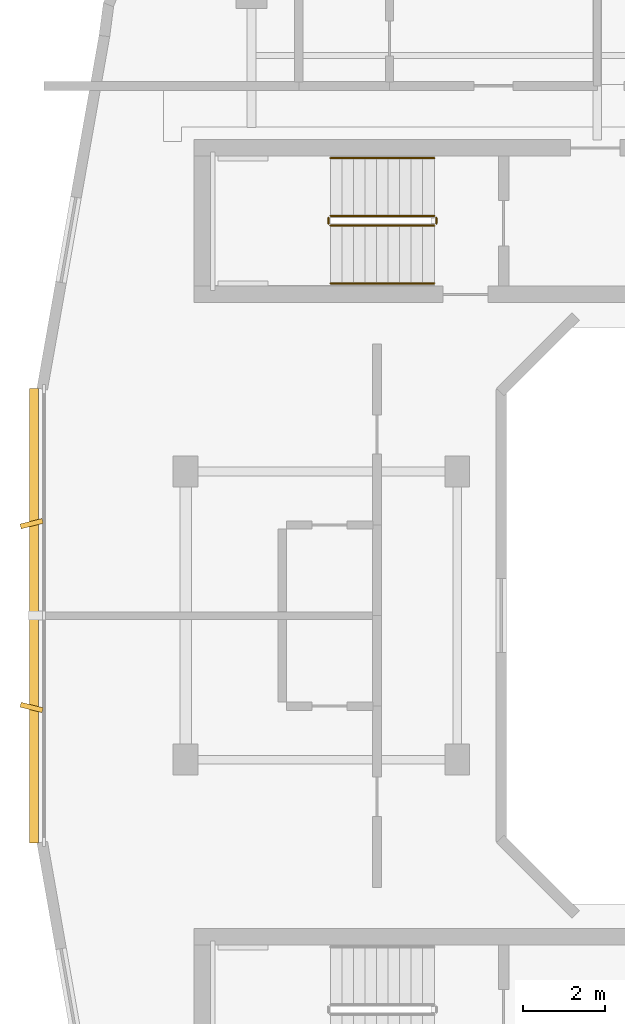
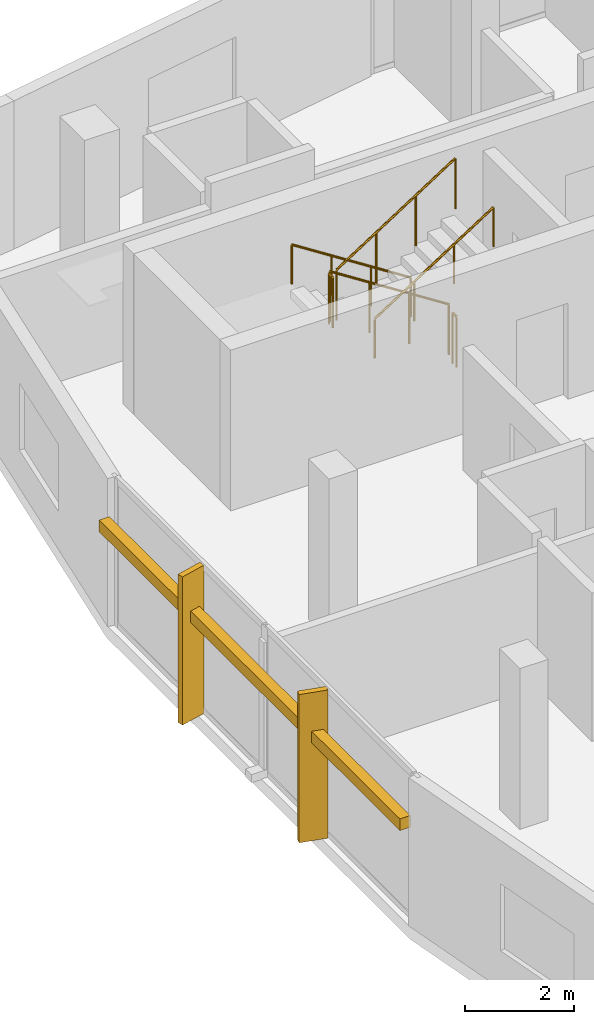
# One storey, part 9 of 10: 6 railings, 3 shading devices.
"""IFC4 building model written with IfcOpenShell, lengths in metres."""

from ifc_helpers import new_model, si_unit, derived_unit, direction, frame, origin, origin_2d, place, context, subcontext, project, spatial, rectangle, circle, extrude, material, type_object, element, save


model = new_model("IFC4")

# Units and contexts
model_context = context("Model", 3, precision=1e-05, world=origin(), true_north=direction((0.0, 1.0)))
body_context = subcontext(model_context, "Body", "Model", "MODEL_VIEW")
ifc_project = project(units=[si_unit("LENGTHUNIT", "METRE"), si_unit("AREAUNIT", "SQUARE_METRE"), si_unit("VOLUMEUNIT", "CUBIC_METRE"), si_unit("PLANEANGLEUNIT", "RADIAN"), si_unit("MASSUNIT", "GRAM", prefix="KILO"), derived_unit("THERMALTRANSMITTANCEUNIT", [(si_unit("POWERUNIT", "WATT"), 1), (si_unit("LENGTHUNIT", "METRE"), -2), (si_unit("THERMODYNAMICTEMPERATUREUNIT", "KELVIN"), -1)])], contexts=[model_context])

# Site, building, storey
site_placement = place(None, origin())
site = spatial("IfcSite", under=ifc_project, at=site_placement, CompositionType="ELEMENT")
building_placement = place(site_placement, origin())
building = spatial("IfcBuilding", under=site, at=building_placement, Name="Kivonza Crest Hotel", CompositionType="ELEMENT")
storey_placement = place(building_placement, frame((0.0, 0.0, 246.800048828125)))
storey = spatial("IfcBuildingStorey", under=building, at=storey_placement, Name="L67", CompositionType="ELEMENT", Elevation=246.800048828125)

# Railings
ifc_material_1 = material(Name="Brushed stainless steel handrail", Category="steel")
railing_type_1 = type_object("IfcRailingType", Name="RL-HAND-900", PredefinedType="HANDRAIL", material=ifc_material_1)
railing_1_placement = place(storey_placement, frame((12.239990234375, 36.110107421875, 0.179931640625)))
element("IfcRailing", 1, at=railing_1_placement, inside=storey, type_object=railing_type_1, Name="L67 ST-T1-N stair handrail 1", PredefinedType="HANDRAIL", context=body_context, shape_type="SweptSolid", body=[
    extrude(circle(Radius=0.02392578125, at=origin_2d()), frame((0.0, 0.0, 0.8759765625), z_axis=(-0.841162588446, 0.0, 0.540782303519), x_axis=(0.0, -1.0, 0.0)), (0.0, 0.0, 1.0), 2.995849609375),
    extrude(circle(Radius=0.02099609375, at=origin_2d()), origin(), (0.0, 0.0, 1.0), 0.851806640625),
    extrude(circle(Radius=0.02099609375, at=origin_2d()), frame((-0.840087890625, 0.0, 0.5400390625)), (0.0, 0.0, 1.0), 0.851806640625),
    extrude(circle(Radius=0.02099609375, at=origin_2d()), frame((-1.679931640625, 0.0, 1.080078125)), (0.0, 0.0, 1.0), 0.851806640625),
    extrude(circle(Radius=0.02099609375, at=origin_2d()), frame((-2.52001953125, 0.0, 1.6201171875)), (0.0, 0.0, 1.0), 0.851806640625),
])
railing_2_placement = place(storey_placement, frame((9.719970703125, 33.070068359375, 1.97998046875)))
element("IfcRailing", 2, at=railing_2_placement, inside=storey, type_object=railing_type_1, Name="L67 ST-T1-N stair handrail 2", PredefinedType="HANDRAIL", context=body_context, shape_type="SweptSolid", body=[
    extrude(circle(Radius=0.02392578125, at=origin_2d()), frame((0.0, 0.0, 0.8759765625), z_axis=(0.841199657755, 0.0, 0.540724639528), x_axis=(0.0, 1.0, 0.0)), (0.0, 0.0, 1.0), 2.995849609375),
    extrude(circle(Radius=0.02099609375, at=origin_2d()), origin(), (0.0, 0.0, 1.0), 0.851806640625),
    extrude(circle(Radius=0.02099609375, at=origin_2d()), frame((0.840087890625, 0.0, 0.5400390625)), (0.0, 0.0, 1.0), 0.851806640625),
    extrude(circle(Radius=0.02099609375, at=origin_2d()), frame((1.679931640625, 0.0, 1.079833984375)), (0.0, 0.0, 1.0), 0.851806640625),
    extrude(circle(Radius=0.02099609375, at=origin_2d()), frame((2.52001953125, 0.0, 1.619873046875)), (0.0, 0.0, 1.0), 0.851806640625),
])
ifc_material_2 = material(Name="Painted steel balustrade", Category="steel")
railing_type_2 = type_object("IfcRailingType", Name="RL-STAIR-1150", PredefinedType="BALUSTRADE", material=ifc_material_2)
railing_3_placement = place(storey_placement, frame((12.239990234375, 34.7099609375, 0.179931640625)))
element("IfcRailing", 3, at=railing_3_placement, inside=storey, type_object=railing_type_2, Name="L67 ST-T1-N stair guard 1", PredefinedType="BALUSTRADE", context=body_context, shape_type="SweptSolid", body=[
    extrude(circle(Radius=0.02392578125, at=origin_2d()), frame((0.0, 0.0, 1.1259765625), z_axis=(-0.841162588446, 0.0, 0.540782303519), x_axis=(0.0, -1.0, 0.0)), (0.0, 0.0, 1.0), 2.995849609375),
    extrude(circle(Radius=0.02099609375, at=origin_2d()), origin(), (0.0, 0.0, 1.0), 1.101806640625),
    extrude(circle(Radius=0.02099609375, at=origin_2d()), frame((-0.840087890625, 0.0, 0.5400390625)), (0.0, 0.0, 1.0), 1.101806640625),
    extrude(circle(Radius=0.02099609375, at=origin_2d()), frame((-1.679931640625, 0.0, 1.080078125)), (0.0, 0.0, 1.0), 1.101806640625),
    extrude(circle(Radius=0.02099609375, at=origin_2d()), frame((-2.52001953125, 0.0, 1.6201171875)), (0.0, 0.0, 1.0), 1.101806640625),
])
railing_4_placement = place(storey_placement, frame((9.669921875, 34.659912109375, 1.800048828125)))
element("IfcRailing", 4, at=railing_4_placement, inside=storey, type_object=railing_type_2, Name="L67 ST-T1-N stair guard 2", PredefinedType="BALUSTRADE", context=body_context, shape_type="SweptSolid", body=[
    extrude(circle(Radius=0.02392578125, at=origin_2d()), frame((0.0, 0.0, 1.1259765625), z_axis=(0.0, -1.0, 0.0), x_axis=(1.0, 0.0, 0.0)), (0.0, 0.0, 1.0), 0.139892578125),
    extrude(circle(Radius=0.02099609375, at=origin_2d()), origin(), (0.0, 0.0, 1.0), 1.101806640625),
    extrude(circle(Radius=0.02099609375, at=origin_2d()), frame((0.0, -0.139892578125, 0.0)), (0.0, 0.0, 1.0), 1.101806640625),
])
railing_5_placement = place(storey_placement, frame((9.719970703125, 34.469970703125, 1.97998046875)))
element("IfcRailing", 5, at=railing_5_placement, inside=storey, type_object=railing_type_2, Name="L67 ST-T1-N stair guard 3", PredefinedType="BALUSTRADE", context=body_context, shape_type="SweptSolid", body=[
    extrude(circle(Radius=0.02392578125, at=origin_2d()), frame((0.0, 0.0, 1.1259765625), z_axis=(0.841199657755, 0.0, 0.540724639528), x_axis=(0.0, 1.0, 0.0)), (0.0, 0.0, 1.0), 2.995849609375),
    extrude(circle(Radius=0.02099609375, at=origin_2d()), origin(), (0.0, 0.0, 1.0), 1.101806640625),
    extrude(circle(Radius=0.02099609375, at=origin_2d()), frame((0.840087890625, 0.0, 0.5400390625)), (0.0, 0.0, 1.0), 1.101806640625),
    extrude(circle(Radius=0.02099609375, at=origin_2d()), frame((1.679931640625, 0.0, 1.079833984375)), (0.0, 0.0, 1.0), 1.101806640625),
    extrude(circle(Radius=0.02099609375, at=origin_2d()), frame((2.52001953125, 0.0, 1.619873046875)), (0.0, 0.0, 1.0), 1.101806640625),
])
railing_6_placement = place(storey_placement, frame((12.2900390625, 34.659912109375, 0.0)))
element("IfcRailing", 6, at=railing_6_placement, inside=storey, type_object=railing_type_2, Name="L67 ST-T1-N stair guard 4", PredefinedType="BALUSTRADE", context=body_context, shape_type="SweptSolid", body=[
    extrude(circle(Radius=0.02392578125, at=origin_2d()), frame((0.0, 0.0, 1.1259765625), z_axis=(0.0, -1.0, 0.0), x_axis=(1.0, 0.0, 0.0)), (0.0, 0.0, 1.0), 0.139892578125),
    extrude(circle(Radius=0.02099609375, at=origin_2d()), origin(), (0.0, 0.0, 1.0), 1.101806640625),
    extrude(circle(Radius=0.02099609375, at=origin_2d()), frame((0.0, -0.139892578125, 0.0)), (0.0, 0.0, 1.0), 1.101806640625),
])

# Shading devices
ifc_material_3 = material(Name="Kiln-fired Nairobi red-ochre terracotta", Category="masonry")
shading_device_type_1 = type_object("IfcShadingDeviceType", Name="SH-BAGUETTE-300", PredefinedType="USERDEFINED", material=ifc_material_3)
shading_device_placement = place(storey_placement, frame((2.52001953125, 25.0, 2.19384765625), z_axis=(0.0, 0.0, 1.0), x_axis=(0.0, -1.0, 0.0)))
element("IfcShadingDevice", 7, at=shading_device_placement, inside=storey, type_object=shading_device_type_1, Name="L67 terracotta baguette screen CW-T1-L67-35", ObjectType="BAGUETTE", PredefinedType="USERDEFINED", context=body_context, shape_type="SweptSolid", body=[
    extrude(rectangle(XDim=11.0400390625, YDim=0.219970703125, at=origin_2d()), origin(), (0.0, 0.0, 1.0), 0.260009765625),
])
ifc_material_4 = material(Name="Kiln-fired terracotta over extruded aluminium spine", Category="masonry")
shading_device_type_2 = type_object("IfcShadingDeviceType", Name="SH-FIN-550", PredefinedType="USERDEFINED", material=ifc_material_4)
for number, where, z_axis, x_axis, name in (
    (8, (2.4599609375, 27.23193359375, 0.0), (0.0, 0.0, 1.0), (0.2419218956, -0.970295726276, 0.0), "L67 vertical solar shading fin CW-T1-L67-35-1"),
    (9, (2.4599609375, 22.76806640625, 0.0), (0.0, 0.0, 1.0), (-0.2419218956, -0.970295726276, 0.0), "L67 vertical solar shading fin CW-T1-L67-35-2"),
):
    element("IfcShadingDevice", number, at=place(storey_placement, frame(where, z_axis=z_axis, x_axis=x_axis)), inside=storey, type_object=shading_device_type_2, Name=name, ObjectType="FIN", PredefinedType="USERDEFINED", context=body_context, shape_type="SweptSolid", body=[
        extrude(rectangle(XDim=0.1201171875, YDim=0.550048828125, at=origin_2d()), origin(), (0.0, 0.0, 1.0), 3.320068359375),
    ])

save(model, "model.ifc")
